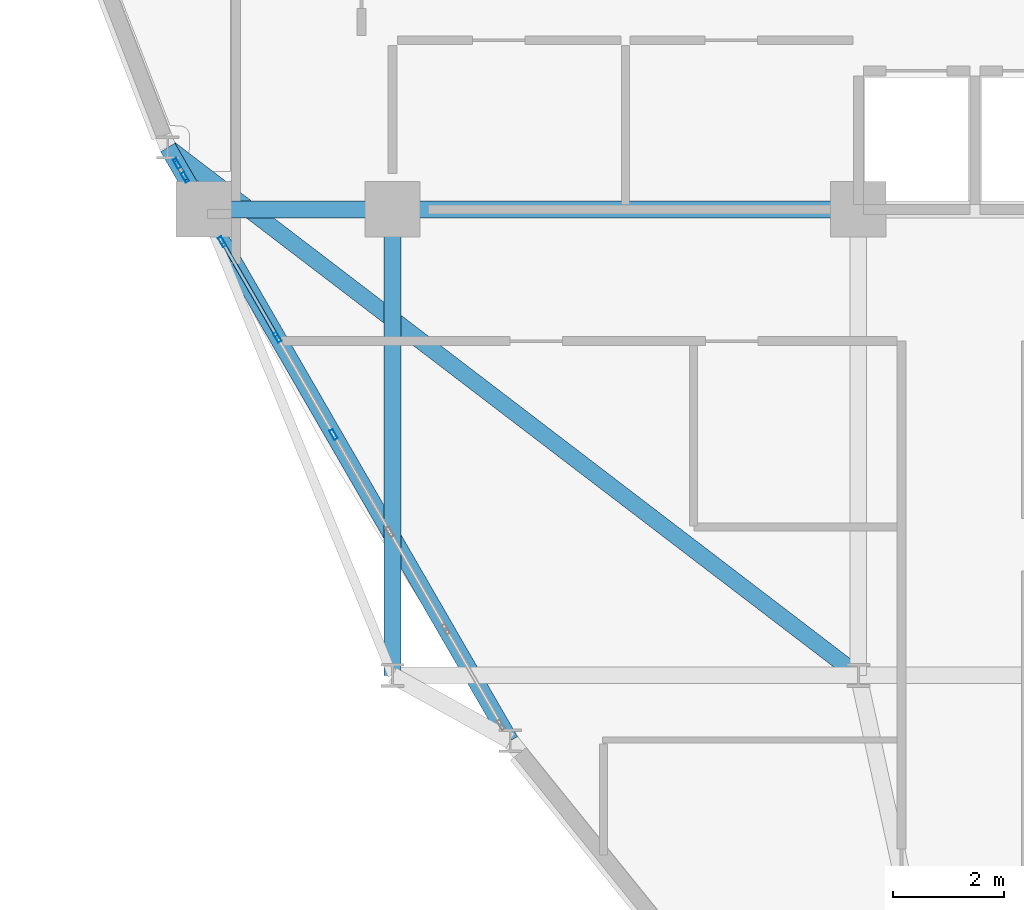
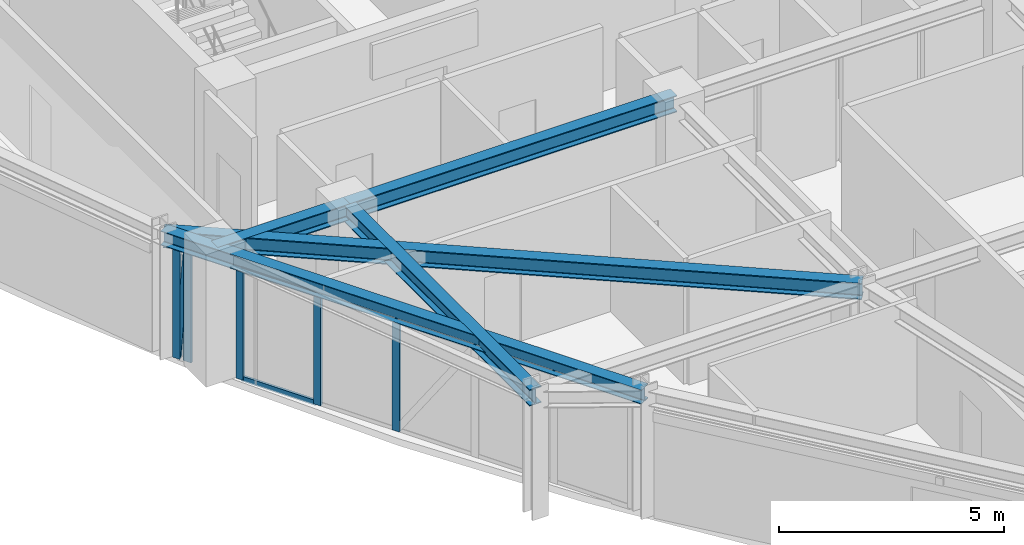
# One storey, part 4 of 18: 8 members, 5 beams, 2 elements without a shape of their own.
"""IFC4 building model written with IfcOpenShell, lengths in metres."""

import ifcopenshell
import ifcopenshell.guid

model = None  # the IFC model being written
_history = None  # IfcOwnerHistory: only IFC2X3 demands one
_inside = {}  # id of a spatial element -> (the spatial element, [elements in it])
_under = {}  # id of a project, library or spatial element -> (it, [spatial elements below it])
_declared = {}  # id of a project -> (the project, [libraries it declares])
_typed = {}  # id of a type object -> (the type object, [elements of that type])
_made_of = {}  # id of a material, layer set ... -> (it, [elements and type objects made of it])


def new_model(schema):
    """Start an empty IFC model of exactly this schema.

    Asked for "IFC4X3", IfcOpenShell would pick the latest addendum, in which some entities
    have other attributes; the version numbers below select the first issue.
    IFC2X3 requires an IfcOwnerHistory on every rooted entity: one is made here for all.
    """
    global model, _history
    if schema == "IFC4X3":
        model = ifcopenshell.file(schema_version=(4, 3, 0, 0))
    else:
        model = ifcopenshell.file(schema=schema)
    _inside.clear()
    _under.clear()
    _declared.clear()
    _typed.clear()
    _made_of.clear()
    _history = None
    if model.schema == "IFC2X3":
        org = make("IfcOrganization", Name="unknown")
        user = make(
            "IfcPersonAndOrganization",
            ThePerson=make("IfcPerson", FamilyName="unknown"),
            TheOrganization=org,
        )
        app = make(
            "IfcApplication",
            ApplicationDeveloper=org,
            Version="unknown",
            ApplicationFullName="unknown",
            ApplicationIdentifier="unknown",
        )
        _history = make(
            "IfcOwnerHistory",
            OwningUser=user,
            OwningApplication=app,
            ChangeAction="ADDED",
            CreationDate=0,
        )
    return model


def make(cls, **values):
    """One entity of the class cls with the attributes given. An attribute that is None is left unset."""
    return model.create_entity(
        cls, **{name: value for name, value in values.items() if value is not None}
    )


def rooted(cls, **values):
    """An entity with a GlobalId (a new one), such as an element, a storey or a relation."""
    return make(cls, GlobalId=ifcopenshell.guid.new(), OwnerHistory=_history, **values)


def si_unit(unit_type, name, prefix=None):
    """IfcSIUnit, for example si_unit("LENGTHUNIT", "METRE", prefix="MILLI")."""
    return make("IfcSIUnit", UnitType=unit_type, Prefix=prefix, Name=name)


def derived_unit(unit_type, elements):
    """IfcDerivedUnit: a product of units, each with its exponent."""
    return make(
        "IfcDerivedUnit",
        Elements=[
            make("IfcDerivedUnitElement", Unit=unit, Exponent=power)
            for unit, power in elements
        ],
        UnitType=unit_type,
    )


def assignment(units):
    """IfcUnitAssignment: the units of a project."""
    return None if units is None else make("IfcUnitAssignment", Units=units)


def point(xyz):
    """IfcCartesianPoint."""
    return None if xyz is None else make("IfcCartesianPoint", Coordinates=xyz)


def direction(xyz):
    """IfcDirection."""
    return None if xyz is None else make("IfcDirection", DirectionRatios=xyz)


def frame(location, z_axis=None, x_axis=None):
    """IfcAxis2Placement3D, a coordinate frame: its origin and axes. An axis left out is left unset."""
    return make(
        "IfcAxis2Placement3D",
        Location=point(location),
        Axis=direction(z_axis),
        RefDirection=direction(x_axis),
    )


def frame_2d(location, x_axis=None):
    """IfcAxis2Placement2D, a coordinate frame in the plane: its origin and x axis."""
    return make(
        "IfcAxis2Placement2D", Location=point(location), RefDirection=direction(x_axis)
    )


def origin():
    """The frame at (0, 0, 0) with its axes left unset."""
    return frame((0.0, 0.0, 0.0))


def origin_2d():
    """The frame at (0, 0) in the plane with its x axis left unset."""
    return frame_2d((0.0, 0.0))


def place(relative_to, where):
    """IfcLocalPlacement: puts the frame where relative to a parent placement (None: the world)."""
    return make(
        "IfcLocalPlacement", PlacementRelTo=relative_to, RelativePlacement=where
    )


def context(
    kind, dimensions, precision=None, world=None, true_north=None, identifier=None
):
    """IfcGeometricRepresentationContext, for example the 3D "Model" context."""
    return make(
        "IfcGeometricRepresentationContext",
        ContextIdentifier=identifier,
        ContextType=kind,
        CoordinateSpaceDimension=dimensions,
        Precision=precision,
        WorldCoordinateSystem=world,
        TrueNorth=true_north,
    )


def subcontext(parent, identifier, kind, view, scale=None):
    """IfcGeometricRepresentationSubContext, for example "Body" below "Model"."""
    return make(
        "IfcGeometricRepresentationSubContext",
        ContextIdentifier=identifier,
        ContextType=kind,
        ParentContext=parent,
        TargetScale=scale,
        TargetView=view,
    )


def project(units=None, contexts=None):
    """IfcProject with its units and contexts."""
    return rooted(
        "IfcProject",
        Name="project",
        RepresentationContexts=contexts,
        UnitsInContext=assignment(units),
    )


def spatial(cls, under=None, at=None, **own):
    """A site, building, storey or space (cls), placed at a placement, below another one or the project."""
    s = rooted(cls, ObjectPlacement=at, **own)
    if under is not None:
        _under.setdefault(under.id(), (under, []))[1].append(s)
    return s


def profile(cls, at=None, kind="AREA", **sizes):
    """A parametric profile (cls). Its sizes go by their IFC names, for example OverallWidth=200.0."""
    return make(cls, ProfileType=kind, Position=at, **sizes)


def hollow_rectangle(**sizes):
    """IfcRectangleHollowProfileDef."""
    return profile("IfcRectangleHollowProfileDef", **sizes)


def i_section(**sizes):
    """IfcIShapeProfileDef."""
    return profile("IfcIShapeProfileDef", **sizes)


def extrude(swept, where, along, depth):
    """IfcExtrudedAreaSolid: the profile swept, set in the frame where, extruded along a direction by depth."""
    return make(
        "IfcExtrudedAreaSolid",
        SweptArea=swept,
        Position=where,
        ExtrudedDirection=direction(along),
        Depth=depth,
    )


def shape(context_of_items, identifier, shape_type, items):
    """IfcShapeRepresentation: the items that make up one representation, for example the "Body"."""
    return make(
        "IfcShapeRepresentation",
        ContextOfItems=context_of_items,
        RepresentationIdentifier=identifier,
        RepresentationType=shape_type,
        Items=items,
    )


def source(mapping_origin, context_of_items, identifier, shape_type, items):
    """IfcRepresentationMap: a shape defined once, which mapped items show again and again."""
    return make(
        "IfcRepresentationMap",
        MappingOrigin=mapping_origin,
        MappedRepresentation=shape(context_of_items, identifier, shape_type, items),
    )


def transform(
    local_origin,
    x_axis=None,
    y_axis=None,
    z_axis=None,
    scale=None,
    scale2=None,
    scale3=None,
    uniform=True,
):
    """IfcCartesianTransformationOperator3D, or its non-uniform kind. x_axis, y_axis, z_axis: its Axis1, 2, 3."""
    if uniform:
        return make(
            "IfcCartesianTransformationOperator3D",
            Axis1=direction(x_axis),
            Axis2=direction(y_axis),
            LocalOrigin=point(local_origin),
            Scale=scale,
            Axis3=direction(z_axis),
        )
    return make(
        "IfcCartesianTransformationOperator3DnonUniform",
        Axis1=direction(x_axis),
        Axis2=direction(y_axis),
        LocalOrigin=point(local_origin),
        Scale=scale,
        Axis3=direction(z_axis),
        Scale2=scale2,
        Scale3=scale3,
    )


def mapped(mapping_source, mapping_target):
    """IfcMappedItem: shows the shape of a source again, moved by a transform."""
    return make(
        "IfcMappedItem", MappingSource=mapping_source, MappingTarget=mapping_target
    )


def material(Name=None, Category=None):
    """IfcMaterial."""
    return make("IfcMaterial", Name=Name, Category=Category)


def layer(
    of_material, thickness, ventilated=None, Name=None, Category=None, Priority=None
):
    """IfcMaterialLayer: one layer of a wall or slab, of a material (None: an air gap)."""
    return make(
        "IfcMaterialLayer",
        Material=of_material,
        LayerThickness=thickness,
        IsVentilated=ventilated,
        Name=Name,
        Category=Category,
        Priority=Priority,
    )


def layer_set(layers, Name=None):
    """IfcMaterialLayerSet."""
    return make("IfcMaterialLayerSet", MaterialLayers=layers, LayerSetName=Name)


def material_profile(
    of_material, cross_section, Name=None, Category=None, Priority=None
):
    """IfcMaterialProfile: a cross section and its material."""
    return make(
        "IfcMaterialProfile",
        Name=Name,
        Material=of_material,
        Profile=cross_section,
        Priority=Priority,
        Category=Category,
    )


def profile_set(profiles, Name=None, composite=None):
    """IfcMaterialProfileSet."""
    return make(
        "IfcMaterialProfileSet",
        Name=Name,
        MaterialProfiles=profiles,
        CompositeProfile=composite,
    )


def made_of(thing, what):
    """Note that an element or type object is made of a material, layer set ...; save() writes the relation."""
    if what is not None:
        _made_of.setdefault(what.id(), (what, []))[1].append(thing)
    return thing


def type_object(cls, material=None, **own):
    """A type object (cls), such as IfcWallType, which elements share."""
    return made_of(rooted(cls, **own), material)


def element(
    cls,
    number,
    at=None,
    inside=None,
    cuts=None,
    type_object=None,
    material=None,
    context=None,
    identifier="Body",
    shape_type=None,
    held_by="IfcProductDefinitionShape",
    body=None,
    shapes=None,
    **own,
):
    """One element of the class cls, such as IfcWall. Its Tag is "e" and its number.

    at: its placement. inside: the storey or other place that contains it. cuts: it is an
    opening in that element (IfcRelVoidsElement). A single representation is given by context,
    identifier, shape_type and body (its items); several are given by shapes. held_by: the class
    of the entity that holds the representations. save() writes the other relations.
    """
    e = rooted(cls, Tag="e%d" % number, ObjectPlacement=at, **own)
    if body is not None:
        shapes = [shape(context, identifier, shape_type, body)]
    if shapes is not None:
        e.Representation = make(held_by, Representations=shapes)
    if inside is not None:
        _inside.setdefault(inside.id(), (inside, []))[1].append(e)
    if cuts is not None:
        rooted(
            "IfcRelVoidsElement", RelatingBuildingElement=cuts, RelatedOpeningElement=e
        )
    if type_object is not None:
        _typed.setdefault(type_object.id(), (type_object, []))[1].append(e)
    return made_of(e, material)


def aggregate(whole, parts):
    """IfcRelAggregates: a whole, such as a stair, and the parts it consists of."""
    return rooted("IfcRelAggregates", RelatingObject=whole, RelatedObjects=parts)


def save(model, path):
    """Write the relations noted so far, then the file.

    IfcRelAggregates (storeys below a building ...), IfcRelContainedInSpatialStructure (elements
    in a storey), IfcRelDefinesByType, IfcRelAssociatesMaterial and IfcRelDeclares: one each for
    every whole, place, type object, material and project.
    """
    for whole, parts in _under.values():
        aggregate(whole, parts)
    for where, things in _inside.values():
        rooted(
            "IfcRelContainedInSpatialStructure",
            RelatedElements=things,
            RelatingStructure=where,
        )
    for kind, things in _typed.values():
        rooted("IfcRelDefinesByType", RelatedObjects=things, RelatingType=kind)
    for what, things in _made_of.values():
        rooted("IfcRelAssociatesMaterial", RelatedObjects=things, RelatingMaterial=what)
    for by, libraries in _declared.values():
        rooted("IfcRelDeclares", RelatingContext=by, RelatedDefinitions=libraries)
    model.write(path)


model = new_model("IFC4")

# Units and contexts
model_context = context("Model", 3, precision=1e-05, world=origin(), true_north=direction((0.0, 1.0)))
body_context = subcontext(model_context, "Body", "Model", "MODEL_VIEW")
ifc_project = project(units=[si_unit("LENGTHUNIT", "METRE"), si_unit("AREAUNIT", "SQUARE_METRE"), si_unit("VOLUMEUNIT", "CUBIC_METRE"), si_unit("PLANEANGLEUNIT", "RADIAN"), si_unit("MASSUNIT", "GRAM", prefix="KILO"), derived_unit("THERMALTRANSMITTANCEUNIT", [(si_unit("POWERUNIT", "WATT"), 1), (si_unit("LENGTHUNIT", "METRE"), -2), (si_unit("THERMODYNAMICTEMPERATUREUNIT", "KELVIN"), -1)])], contexts=[model_context])

# Site, building, storey
site_placement = place(None, origin())
site = spatial("IfcSite", under=ifc_project, at=site_placement, CompositionType="ELEMENT")
building_placement = place(site_placement, origin())
building = spatial("IfcBuilding", under=site, at=building_placement, Name="Korsvarv Bourse and Concert Hall", CompositionType="ELEMENT")
storey_placement = place(building_placement, frame((0.0, 0.0, 209.39990234375)))
storey = spatial("IfcBuildingStorey", under=building, at=storey_placement, Name="L54", CompositionType="ELEMENT", Elevation=209.39990234375)

# Beams
ifc_material_1 = material(Name="Steel S355", Category="steel")
ifc_material_profile_1 = material_profile(ifc_material_1, i_section(OverallWidth=0.300048828125, OverallDepth=0.449951171875, WebThickness=0.013916015625, FlangeThickness=0.02587890625, FilletRadius=0.02099609375, at=origin_2d()), Name="HEB 450")
ifc_profile_set_1 = profile_set([ifc_material_profile_1], Name="Steel S355")
beam_type_1 = type_object("IfcBeamType", Name="BM-HEB450", PredefinedType="SPANDREL", material=ifc_profile_set_1)
shared_shape_1 = source(origin(), body_context, "Body", "SweptSolid", [
    extrude(i_section(OverallWidth=0.300048828125, OverallDepth=0.449951171875, WebThickness=0.013916015625, FlangeThickness=0.02587890625, FilletRadius=0.02099609375, at=origin_2d()), origin(), (0.0, 0.0, 1.0), 3.400146484375),
])
beam_1_placement = place(storey_placement, frame((24.199951171875, 32.39990234375, 3.18505859375), z_axis=(1.0, 0.0, 0.0), x_axis=(0.0, 1.0, 0.0)))
element("IfcBeam", 1, at=beam_1_placement, inside=storey, type_object=beam_type_1, Name="L54 beam B-08", PredefinedType="SPANDREL", context=body_context, shape_type="MappedRepresentation", body=[
    mapped(shared_shape_1, transform((0.0, 0.0, 0.0), scale=1.0)),
])
shared_shape_2 = source(origin(), body_context, "Body", "SweptSolid", [
    extrude(i_section(OverallWidth=0.300048828125, OverallDepth=0.449951171875, WebThickness=0.013916015625, FlangeThickness=0.02587890625, FilletRadius=0.02099609375, at=origin_2d()), origin(), (0.0, 0.0, 1.0), 8.39990234375),
])
for number, where, z_axis, x_axis, name in (
    (2, (27.60009765625, 32.39990234375, 3.18505859375), (1.0, 0.0, 0.0), (0.0, 1.0, 0.0), "L54 beam B-08"),
    (3, (27.60009765625, 24.0, 3.18505859375), (0.0, 1.0, 0.0), (-1.0, 0.0, 0.0), "L54 beam B-08"),
):
    element("IfcBeam", number, at=place(storey_placement, frame(where, z_axis=z_axis, x_axis=x_axis)), inside=storey, type_object=beam_type_1, Name=name, PredefinedType="SPANDREL", context=body_context, shape_type="MappedRepresentation", body=[
        mapped(shared_shape_2, transform((0.0, 0.0, 0.0), scale=1.0)),
    ])
ifc_material_profile_2 = material_profile(ifc_material_1, i_section(OverallWidth=0.300048828125, OverallDepth=0.389892578125, WebThickness=0.010986328125, FlangeThickness=0.01904296875, FilletRadius=0.02099609375, at=origin_2d()), Name="HEA 400")
ifc_profile_set_2 = profile_set([ifc_material_profile_2], Name="Steel S355")
beam_type_2 = type_object("IfcBeamType", Name="BM-HEA400", PredefinedType="BEAM", material=ifc_profile_set_2)
shared_shape_3 = source(origin(), body_context, "Body", "SweptSolid", [
    extrude(i_section(OverallWidth=0.300048828125, OverallDepth=0.389892578125, WebThickness=0.010986328125, FlangeThickness=0.01904296875, FilletRadius=0.02099609375, at=origin_2d()), origin(), (0.0, 0.0, 1.0), 12.353271484375),
])
beam_2_placement = place(storey_placement, frame((23.548095703125, 33.518310546875, 3.215087890625), z_axis=(0.500007577232, -0.866021029023, 0.0), x_axis=(0.866021029023, 0.500007577232, 0.0)))
element("IfcBeam", 4, at=beam_2_placement, inside=storey, type_object=beam_type_2, Name="L54 beam B-11", PredefinedType="BEAM", context=body_context, shape_type="MappedRepresentation", body=[
    mapped(shared_shape_3, transform((0.0, 0.0, 0.0), scale=1.0)),
])
shared_shape_4 = source(origin(), body_context, "Body", "SweptSolid", [
    extrude(i_section(OverallWidth=0.300048828125, OverallDepth=0.449951171875, WebThickness=0.013916015625, FlangeThickness=0.02587890625, FilletRadius=0.02099609375, at=origin_2d()), origin(), (0.0, 0.0, 1.0), 15.673095703125),
])
beam_3_placement = place(storey_placement, frame((23.548095703125, 33.518310546875, 3.18505859375), z_axis=(0.794472775514, -0.607299768621, 0.0), x_axis=(0.607299768621, 0.794472775514, 0.0)))
element("IfcBeam", 5, at=beam_3_placement, inside=storey, type_object=beam_type_1, Name="L54 beam B-08", PredefinedType="SPANDREL", context=body_context, shape_type="MappedRepresentation", body=[
    mapped(shared_shape_4, transform((0.0, 0.0, 0.0), scale=1.0)),
])

# Curtain wall, members
ifc_material_2 = material(Name="Anodised aluminium and triple low-E glazing", Category="glass")
ifc_layer = layer(ifc_material_2, 0.199951171875)
ifc_layer_set = layer_set([ifc_layer], Name="Anodised aluminium and triple low-E glazing")
curtain_wall_type = type_object("IfcCurtainWallType", Name="CW-SYS-3", PredefinedType="NOTDEFINED", material=ifc_layer_set)
curtain_wall_1_placement = place(storey_placement, origin())
curtain_wall_1 = element("IfcCurtainWall", 6, at=curtain_wall_1_placement, inside=storey, type_object=curtain_wall_type, Name="L54 CW3 curtain wall CW-L54-F07-2", PredefinedType="NOTDEFINED")
ifc_material_3 = material(Name="Extruded aluminium EN AW-6063 T66", Category="aluminium")
ifc_material_profile_3 = material_profile(ifc_material_3, hollow_rectangle(XDim=0.070068359375, YDim=0.18994140625, WallThickness=0.0048828125, at=origin_2d()), Name="ALU-M 70x190")
ifc_profile_set_3 = profile_set([ifc_material_profile_3], Name="Extruded aluminium EN AW-6063 T66")
member_type_1 = type_object("IfcMemberType", Name="CWM-190", PredefinedType="MULLION", material=ifc_profile_set_3)
shared_shape_5 = source(origin(), body_context, "Body", "SweptSolid", [
    extrude(hollow_rectangle(XDim=0.070068359375, YDim=0.18994140625, WallThickness=0.0048828125, at=origin_2d()), origin(), (0.0, 0.0, 1.0), 3.02001953125),
])
member_1_placement = place(storey_placement, frame((24.52880859375, 31.819580078125, 0.0), z_axis=(0.0, 0.0, 1.0), x_axis=(0.866026111776, 0.49999877372, 0.0)))
member_1 = element("IfcMember", 7, at=member_1_placement, type_object=member_type_1, Name="CW3 mullion 1", PredefinedType="MULLION", context=body_context, shape_type="MappedRepresentation", body=[
    mapped(shared_shape_5, transform((0.0, 0.0, 0.0), scale=1.0)),
])
member_2_placement = place(storey_placement, frame((25.5244140625, 30.095703125, 0.0), z_axis=(0.0, 0.0, 1.0), x_axis=(0.866026111776, 0.49999877372, 0.0)))
member_2 = element("IfcMember", 8, at=member_2_placement, type_object=member_type_1, Name="CW3 mullion 2", PredefinedType="MULLION", context=body_context, shape_type="MappedRepresentation", body=[
    mapped(shared_shape_5, transform((0.0, 0.0, 0.0), scale=1.0)),
])
member_3_placement = place(storey_placement, frame((26.537109375, 28.34130859375, 0.0), z_axis=(0.0, 0.0, 1.0), x_axis=(0.866026111776, 0.49999877372, 0.0)))
member_3 = element("IfcMember", 9, at=member_3_placement, type_object=member_type_1, Name="CW3 mullion 3", PredefinedType="MULLION", context=body_context, shape_type="MappedRepresentation", body=[
    mapped(shared_shape_5, transform((0.0, 0.0, 0.0), scale=1.0)),
])
ifc_material_profile_4 = material_profile(ifc_material_3, hollow_rectangle(XDim=0.06494140625, YDim=0.139892578125, WallThickness=0.00390625, at=origin_2d()), Name="ALU-T 65x140")
ifc_profile_set_4 = profile_set([ifc_material_profile_4], Name="Extruded aluminium EN AW-6063 T66")
member_type_2 = type_object("IfcMemberType", Name="CWT-140", PredefinedType="USERDEFINED", material=ifc_profile_set_4)
shared_shape_6 = source(origin(), body_context, "Body", "SweptSolid", [
    extrude(hollow_rectangle(XDim=0.06494140625, YDim=0.139892578125, WallThickness=0.00390625, at=origin_2d()), origin(), (0.0, 0.0, 1.0), 1.920654296875),
])
member_4_placement = place(storey_placement, frame((24.54638671875, 31.789306640625, 0.03271484375), z_axis=(0.500048867987, -0.865997188001, 0.0), x_axis=(0.865997188001, 0.500048867987, 0.0)))
member_4 = element("IfcMember", 10, at=member_4_placement, type_object=member_type_2, Name="CW3 transom 1.1", ObjectType="TRANSOM", PredefinedType="USERDEFINED", context=body_context, shape_type="MappedRepresentation", body=[
    mapped(shared_shape_6, transform((0.0, 0.0, 0.0), scale=1.0)),
])
member_5_placement = place(storey_placement, frame((24.54638671875, 31.789306640625, 2.987548828125), z_axis=(0.500048867987, -0.865997188001, 0.0), x_axis=(0.865997188001, 0.500048867987, 0.0)))
member_5 = element("IfcMember", 11, at=member_5_placement, type_object=member_type_2, Name="CW3 transom 1.2", ObjectType="TRANSOM", PredefinedType="USERDEFINED", context=body_context, shape_type="MappedRepresentation", body=[
    mapped(shared_shape_6, transform((0.0, 0.0, 0.0), scale=1.0)),
])
aggregate(curtain_wall_1, [member_1, member_2, member_3, member_4, member_5])

curtain_wall_2_placement = place(storey_placement, origin())
curtain_wall_2 = element("IfcCurtainWall", 12, at=curtain_wall_2_placement, inside=storey, type_object=curtain_wall_type, Name="L54 CW3 curtain wall CW-L54-F07-1", PredefinedType="NOTDEFINED")
shared_shape_7 = source(origin(), body_context, "Body", "SweptSolid", [
    extrude(hollow_rectangle(XDim=0.070068359375, YDim=0.18994140625, WallThickness=0.0048828125, at=origin_2d()), origin(), (0.0, 0.0, 1.0), 2.960205078125),
])
member_6_placement = place(storey_placement, frame((23.714599609375, 33.22998046875, 0.0), z_axis=(0.0, 0.0, 1.0), x_axis=(0.866087988372, 0.499891584645, 0.0)))
member_6 = element("IfcMember", 13, at=member_6_placement, type_object=member_type_1, Name="CW3 mullion 1", PredefinedType="MULLION", context=body_context, shape_type="MappedRepresentation", body=[
    mapped(shared_shape_7, transform((0.0, 0.0, 0.0), scale=1.0)),
])
member_7_placement = place(storey_placement, frame((23.85888671875, 32.980224609375, 0.0), z_axis=(0.0, 0.0, 1.0), x_axis=(0.866087988372, 0.499891584645, 0.0)))
member_7 = element("IfcMember", 14, at=member_7_placement, type_object=member_type_1, Name="CW3 mullion 2", PredefinedType="MULLION", context=body_context, shape_type="MappedRepresentation", body=[
    mapped(shared_shape_7, transform((0.0, 0.0, 0.0), scale=1.0)),
])
ifc_material_profile_5 = material_profile(ifc_material_3, hollow_rectangle(XDim=0.06494140625, YDim=0.1650390625, WallThickness=0.0048828125, at=origin_2d()), Name="ALU-M 65x165")
ifc_profile_set_5 = profile_set([ifc_material_profile_5], Name="Extruded aluminium EN AW-6063 T66")
member_type_3 = type_object("IfcMemberType", Name="CWM-165", PredefinedType="MULLION", material=ifc_profile_set_5)
shared_shape_8 = source(origin(), body_context, "Body", "SweptSolid", [
    extrude(hollow_rectangle(XDim=0.06494140625, YDim=0.1650390625, WallThickness=0.0048828125, at=origin_2d()), origin(), (0.0, 0.0, 1.0), 2.838134765625),
])
member_8_placement = place(storey_placement, frame((23.732177734375, 33.19970703125, 0.065185546875), z_axis=(0.038450255623, -0.066578294971, 0.997040073659), x_axis=(0.865961984968, 0.500109828528, 0.0)))
member_8 = element("IfcMember", 15, at=member_8_placement, type_object=member_type_3, Name="CW3 diagonal mullion 1", PredefinedType="MULLION", context=body_context, shape_type="MappedRepresentation", body=[
    mapped(shared_shape_8, transform((0.0, 0.0, 0.0), scale=1.0)),
])
aggregate(curtain_wall_2, [member_6, member_7, member_8])

save(model, "model.ifc")
